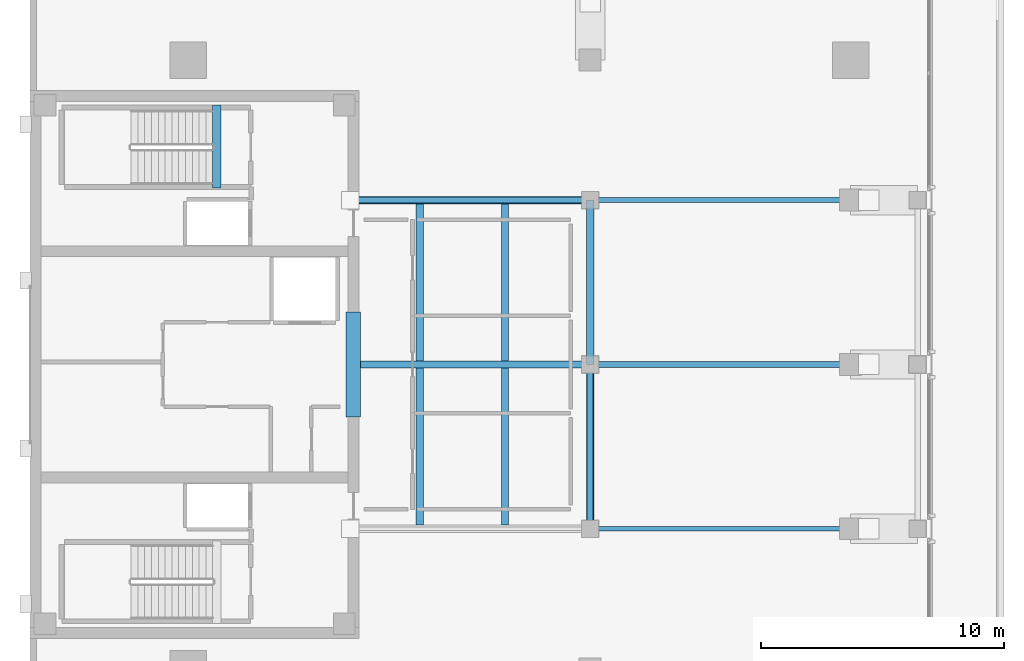
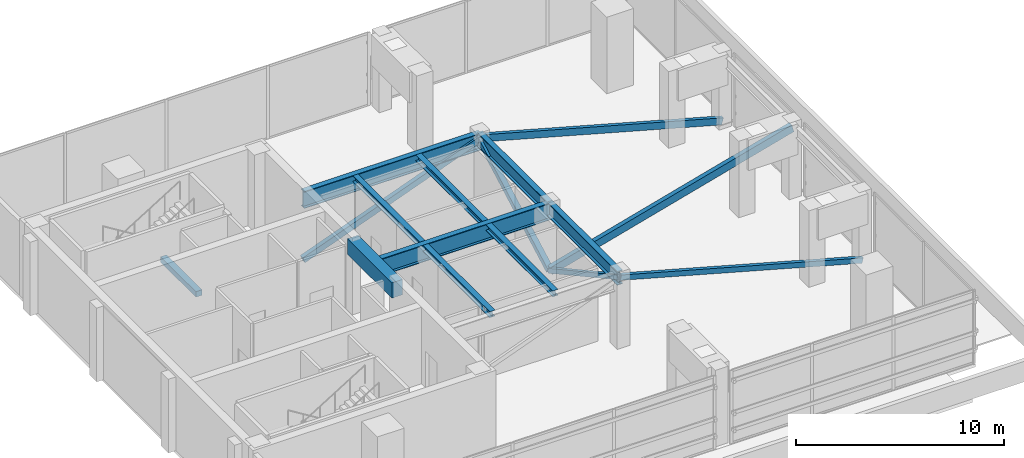
# One storey, part 3 of 13: 10 beams, 6 members.
"""IFC4 building model written with IfcOpenShell, lengths in metres."""

from ifc_helpers import new_model, si_unit, direction, frame, origin, origin_2d, place, context, subcontext, project, spatial, rectangle, hollow_rectangle, i_section, extrude, material, material_profile, profile_set, type_object, element, save


model = new_model("IFC4")

# Units and contexts
model_context = context("Model", 3, precision=1e-05, world=origin(), true_north=direction((0.0, 1.0)))
body_context = subcontext(model_context, "Body", "Model", "MODEL_VIEW")
ifc_project = project(units=[si_unit("LENGTHUNIT", "METRE"), si_unit("AREAUNIT", "SQUARE_METRE"), si_unit("VOLUMEUNIT", "CUBIC_METRE"), si_unit("PLANEANGLEUNIT", "RADIAN"), si_unit("MASSUNIT", "GRAM", prefix="KILO")], contexts=[model_context])

# Site, building, storey
site_placement = place(None, origin())
site = spatial("IfcSite", under=ifc_project, at=site_placement, CompositionType="ELEMENT")
building_placement = place(site_placement, origin())
building = spatial("IfcBuilding", under=site, at=building_placement, Name="Kinhvarn Gate Tower", CompositionType="ELEMENT")
storey_placement = place(building_placement, frame((0.0, 0.0, 303.050048828125)))
storey = spatial("IfcBuildingStorey", under=building, at=storey_placement, Name="L80", CompositionType="ELEMENT", Elevation=303.050048828125)

# Beams
ifc_material_1 = material(Name="Concrete C60/75", Category="concrete")
ifc_material_profile_1 = material_profile(ifc_material_1, rectangle(XDim=0.60009765625, YDim=0.89990234375, at=origin_2d()), Name="RC 600x900")
ifc_profile_set_1 = profile_set([ifc_material_profile_1], Name="Concrete C60/75")
beam_type_1 = type_object("IfcBeamType", Name="BM-CB-900", PredefinedType="LINTEL", material=ifc_profile_set_1)
beam_1_placement = place(storey_placement, frame((17.77490234375, 23.10009765625, 3.849853515625), z_axis=(0.0, 1.0, 0.0), x_axis=(-1.0, 0.0, 0.0)))
element("IfcBeam", 1, at=beam_1_placement, inside=storey, type_object=beam_type_1, Name="Core East Portal Coupling Beam L80", PredefinedType="LINTEL", context=body_context, shape_type="SweptSolid", body=[
    extrude(rectangle(XDim=0.60009765625, YDim=0.89990234375, at=origin_2d()), origin(), (0.0, 0.0, 1.0), 4.2998046875),
])
ifc_material_2 = material(Name="Steel S355", Category="steel")
ifc_material_profile_2 = material_profile(ifc_material_2, i_section(OverallWidth=0.300048828125, OverallDepth=1.0, WebThickness=0.01904296875, FlangeThickness=0.035888671875, at=origin_2d()), Name="HEB 1000")
ifc_profile_set_2 = profile_set([ifc_material_profile_2], Name="Steel S355")
beam_type_2 = type_object("IfcBeamType", Name="BM-HEB1000", PredefinedType="BEAM", material=ifc_profile_set_2)
beam_2_placement = place(storey_placement, frame((18.074951171875, 25.25, 3.800048828125), z_axis=(1.0, 0.0, 0.0), x_axis=(0.0, 1.0, 0.0)))
element("IfcBeam", 2, at=beam_2_placement, inside=storey, type_object=beam_type_2, Name="Floor Beam HG-21 (L80 CR-EW1-25)", PredefinedType="BEAM", context=body_context, shape_type="SweptSolid", body=[
    extrude(i_section(OverallWidth=0.300048828125, OverallDepth=1.0, WebThickness=0.01904296875, FlangeThickness=0.035888671875, at=origin_2d()), origin(), (0.0, 0.0, 1.0), 9.425048828125),
])
beam_3_placement = place(storey_placement, frame((17.64990234375, 32.0, 3.800048828125), z_axis=(1.0, 0.0, 0.0), x_axis=(0.0, 1.0, 0.0)))
element("IfcBeam", 3, at=beam_3_placement, inside=storey, type_object=beam_type_2, Name="Floor Beam HG-21 (L80 CR-EW1-32)", PredefinedType="BEAM", context=body_context, shape_type="SweptSolid", body=[
    extrude(i_section(OverallWidth=0.300048828125, OverallDepth=1.0, WebThickness=0.01904296875, FlangeThickness=0.035888671875, at=origin_2d()), origin(), (0.0, 0.0, 1.0), 9.85009765625),
])
ifc_material_profile_3 = material_profile(ifc_material_2, i_section(OverallWidth=0.302978515625, OverallDepth=0.81396484375, WebThickness=0.02099609375, FlangeThickness=0.0400390625, at=origin_2d()), Name="HEM 800")
ifc_profile_set_3 = profile_set([ifc_material_profile_3], Name="Steel S355")
beam_type_3 = type_object("IfcBeamType", Name="BM-HEM800", PredefinedType="BEAM", material=ifc_profile_set_3)
for number, where, z_axis, x_axis, name in (
    (4, (27.5, 18.5, 3.89306640625), (0.0, 1.0, 0.0), (-1.0, 0.0, 0.0), "Floor Beam HG-22 (L80 CR-NS-M1)"),
    (5, (27.5, 25.25, 3.89306640625), (0.0, 1.0, 0.0), (-1.0, 0.0, 0.0), "Floor Beam HG-22 (L80 CR-NS-M2)"),
):
    element("IfcBeam", number, at=place(storey_placement, frame(where, z_axis=z_axis, x_axis=x_axis)), inside=storey, type_object=beam_type_3, Name=name, PredefinedType="BEAM", context=body_context, shape_type="SweptSolid", body=[
        extrude(i_section(OverallWidth=0.302978515625, OverallDepth=0.81396484375, WebThickness=0.02099609375, FlangeThickness=0.0400390625, at=origin_2d()), origin(), (0.0, 0.0, 1.0), 6.75),
    ])
ifc_material_3 = material(Name="Concrete C50/60", Category="concrete")
ifc_material_profile_4 = material_profile(ifc_material_3, rectangle(XDim=0.340087890625, YDim=0.320068359375, at=origin_2d()), Name="RC 340x320")
ifc_profile_set_4 = profile_set([ifc_material_profile_4], Name="Concrete C50/60")
beam_type_4 = type_object("IfcBeamType", Name="BM-LND-500", PredefinedType="BEAM", material=ifc_profile_set_4)
beam_4_placement = place(storey_placement, frame((12.1650390625, 32.5, -0.16015625), z_axis=(0.0, 1.0, 0.0), x_axis=(-1.0, 0.0, 0.0)))
element("IfcBeam", 6, at=beam_4_placement, inside=storey, type_object=beam_type_4, Name="Stair ST2 Landing Nosing Beam (L80)", PredefinedType="BEAM", context=body_context, shape_type="SweptSolid", body=[
    extrude(rectangle(XDim=0.340087890625, YDim=0.320068359375, at=origin_2d()), origin(), (0.0, 0.0, 1.0), 3.39990234375),
])

# Members
ifc_material_profile_5 = material_profile(ifc_material_2, hollow_rectangle(XDim=0.199951171875, YDim=0.300048828125, WallThickness=0.011962890625, at=origin_2d()), Name="RHS 300x200x12")
ifc_profile_set_5 = profile_set([ifc_material_profile_5], Name="Steel S355")
member_type_1 = type_object("IfcMemberType", Name="MBR-RHS300x200x12", PredefinedType="BRACE", material=ifc_profile_set_5)
member_1_placement = place(storey_placement, frame((27.5, 18.5, 3.949951171875), z_axis=(0.964183128452, 0.0, -0.265237431009), x_axis=(0.0, 1.0, 0.0)))
element("IfcMember", 7, at=member_1_placement, inside=storey, type_object=member_type_1, Name="Crown Frame Strut BR-02 (RHS 300x200x12)", PredefinedType="BRACE", context=body_context, shape_type="SweptSolid", body=[
    extrude(hollow_rectangle(XDim=0.199951171875, YDim=0.300048828125, WallThickness=0.011962890625, at=origin_2d()), origin(), (0.0, 0.0, 1.0), 13.949462890625),
])
ifc_material_profile_6 = material_profile(ifc_material_2, hollow_rectangle(XDim=0.25, YDim=0.35009765625, WallThickness=0.01611328125, at=origin_2d()), Name="RHS 350x250x16")
ifc_profile_set_6 = profile_set([ifc_material_profile_6], Name="Steel S355")
member_type_2 = type_object("IfcMemberType", Name="MBR-RHS350x250x16", PredefinedType="BRACE", material=ifc_profile_set_6)
member_2_placement = place(storey_placement, frame((17.64990234375, 32.0, 0.25), z_axis=(0.936136422433, 0.0, 0.351637026768), x_axis=(0.0, 1.0, 0.0)))
element("IfcMember", 8, at=member_2_placement, inside=storey, type_object=member_type_2, Name="Crown Frame Strut BR-03 (RHS 350x250x16)", PredefinedType="BRACE", context=body_context, shape_type="SweptSolid", body=[
    extrude(hollow_rectangle(XDim=0.25, YDim=0.35009765625, WallThickness=0.01611328125, at=origin_2d()), origin(), (0.0, 0.0, 1.0), 10.52197265625),
])
ifc_material_profile_7 = material_profile(ifc_material_2, hollow_rectangle(XDim=0.199951171875, YDim=0.39990234375, WallThickness=0.01611328125, at=origin_2d()), Name="RHS 400x200x16")
ifc_profile_set_7 = profile_set([ifc_material_profile_7], Name="Steel S355")
member_type_3 = type_object("IfcMemberType", Name="MBR-RHS400x200x16", PredefinedType="BRACE", material=ifc_profile_set_7)
member_3_placement = place(storey_placement, frame((27.5, 32.0, 3.949951171875), z_axis=(0.964183128452, 0.0, -0.265237431009), x_axis=(0.0, 1.0, 0.0)))
element("IfcMember", 9, at=member_3_placement, inside=storey, type_object=member_type_3, Name="Crown Frame Strut BR-04 (RHS 400x200x16)", PredefinedType="BRACE", context=body_context, shape_type="SweptSolid", body=[
    extrude(hollow_rectangle(XDim=0.199951171875, YDim=0.39990234375, WallThickness=0.01611328125, at=origin_2d()), origin(), (0.0, 0.0, 1.0), 13.949462890625),
])
ifc_material_profile_8 = material_profile(ifc_material_2, hollow_rectangle(XDim=0.25, YDim=0.449951171875, WallThickness=0.01611328125, at=origin_2d()), Name="RHS 450x250x16")
ifc_profile_set_8 = profile_set([ifc_material_profile_8], Name="Steel S355")
member_type_4 = type_object("IfcMemberType", Name="MBR-RHS450x250x16", PredefinedType="BRACE", material=ifc_profile_set_8)
member_4_placement = place(storey_placement, frame((27.5, 25.25, 0.25), z_axis=(0.964183128452, 0.0, 0.265237431009), x_axis=(0.0, 1.0, 0.0)))
element("IfcMember", 10, at=member_4_placement, inside=storey, type_object=member_type_4, Name="Crown Frame Strut BR-05 (RHS 450x250x16)", PredefinedType="BRACE", context=body_context, shape_type="SweptSolid", body=[
    extrude(hollow_rectangle(XDim=0.25, YDim=0.449951171875, WallThickness=0.01611328125, at=origin_2d()), origin(), (0.0, 0.0, 1.0), 13.949462890625),
])
ifc_material_profile_9 = material_profile(ifc_material_2, hollow_rectangle(XDim=0.25, YDim=0.25, WallThickness=0.011962890625, at=origin_2d()), Name="SHS 250x250x12")
ifc_profile_set_9 = profile_set([ifc_material_profile_9], Name="Steel S355")
member_type_5 = type_object("IfcMemberType", Name="MBR-SHS250x250x12", PredefinedType="BRACE", material=ifc_profile_set_9)
member_5_placement = place(storey_placement, frame((27.5, 18.5, 3.949951171875), z_axis=(0.0, 0.876903407215, -0.480666635429), x_axis=(-1.0, 0.0, 0.0)))
element("IfcMember", 11, at=member_5_placement, inside=storey, type_object=member_type_5, Name="Crown Frame Strut BR-06 (SHS 250x250x12)", PredefinedType="BRACE", context=body_context, shape_type="SweptSolid", body=[
    extrude(hollow_rectangle(XDim=0.25, YDim=0.25, WallThickness=0.011962890625, at=origin_2d()), origin(), (0.0, 0.0, 1.0), 7.697509765625),
])
ifc_material_profile_10 = material_profile(ifc_material_2, hollow_rectangle(XDim=0.300048828125, YDim=0.300048828125, WallThickness=0.01611328125, at=origin_2d()), Name="SHS 300x300x16")
ifc_profile_set_10 = profile_set([ifc_material_profile_10], Name="Steel S355")
member_type_6 = type_object("IfcMemberType", Name="MBR-SHS300x300x16", PredefinedType="BRACE", material=ifc_profile_set_10)
member_6_placement = place(storey_placement, frame((27.5, 25.25, 0.25), z_axis=(0.0, 0.876903407215, 0.480666635429), x_axis=(-1.0, 0.0, 0.0)))
element("IfcMember", 12, at=member_6_placement, inside=storey, type_object=member_type_6, Name="Crown Frame Strut BR-07 (SHS 300x300x16)", PredefinedType="BRACE", context=body_context, shape_type="SweptSolid", body=[
    extrude(hollow_rectangle(XDim=0.300048828125, YDim=0.300048828125, WallThickness=0.01611328125, at=origin_2d()), origin(), (0.0, 0.0, 1.0), 7.697509765625),
])

# Beams
ifc_material_profile_11 = material_profile(ifc_material_2, i_section(OverallWidth=0.300048828125, OverallDepth=0.360107421875, WebThickness=0.012451171875, FlangeThickness=0.0224609375, at=origin_2d()), Name="HEB 360")
ifc_profile_set_11 = profile_set([ifc_material_profile_11], Name="Steel S355")
beam_type_5 = type_object("IfcBeamType", Name="STL-HEB360", PredefinedType="BEAM", material=ifc_profile_set_11)
for number, where, z_axis, x_axis, name in (
    (13, (20.5, 18.64990234375, 4.119873046875), (0.0, 1.0, 0.0), (-1.0, 0.0, 0.0), "Floor Beam PG-11 (L80 CR-J1-205)"),
    (14, (20.5, 25.39990234375, 4.119873046875), (0.0, 1.0, 0.0), (-1.0, 0.0, 0.0), "Floor Beam PG-11 (L80 CR-J2-205)"),
    (15, (24.0, 18.64990234375, 4.119873046875), (0.0, 1.0, 0.0), (-1.0, 0.0, 0.0), "Floor Beam PG-11 (L80 CR-J1-240)"),
    (16, (24.0, 25.39990234375, 4.119873046875), (0.0, 1.0, 0.0), (-1.0, 0.0, 0.0), "Floor Beam PG-11 (L80 CR-J2-240)"),
):
    element("IfcBeam", number, at=place(storey_placement, frame(where, z_axis=z_axis, x_axis=x_axis)), inside=storey, type_object=beam_type_5, Name=name, PredefinedType="BEAM", context=body_context, shape_type="SweptSolid", body=[
        extrude(i_section(OverallWidth=0.300048828125, OverallDepth=0.360107421875, WebThickness=0.012451171875, FlangeThickness=0.0224609375, at=origin_2d()), origin(), (0.0, 0.0, 1.0), 6.4501953125),
    ])

save(model, "model.ifc")
